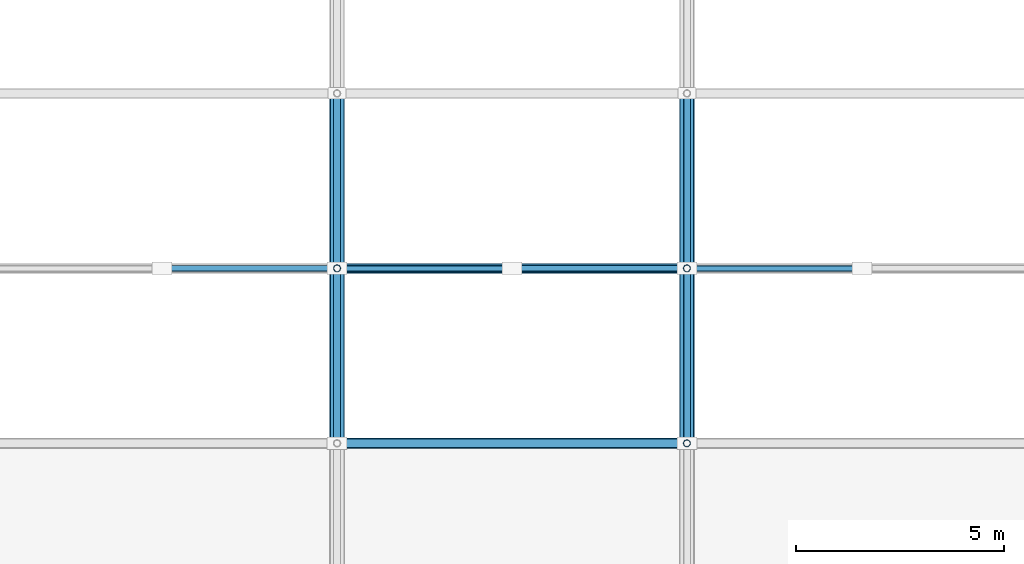
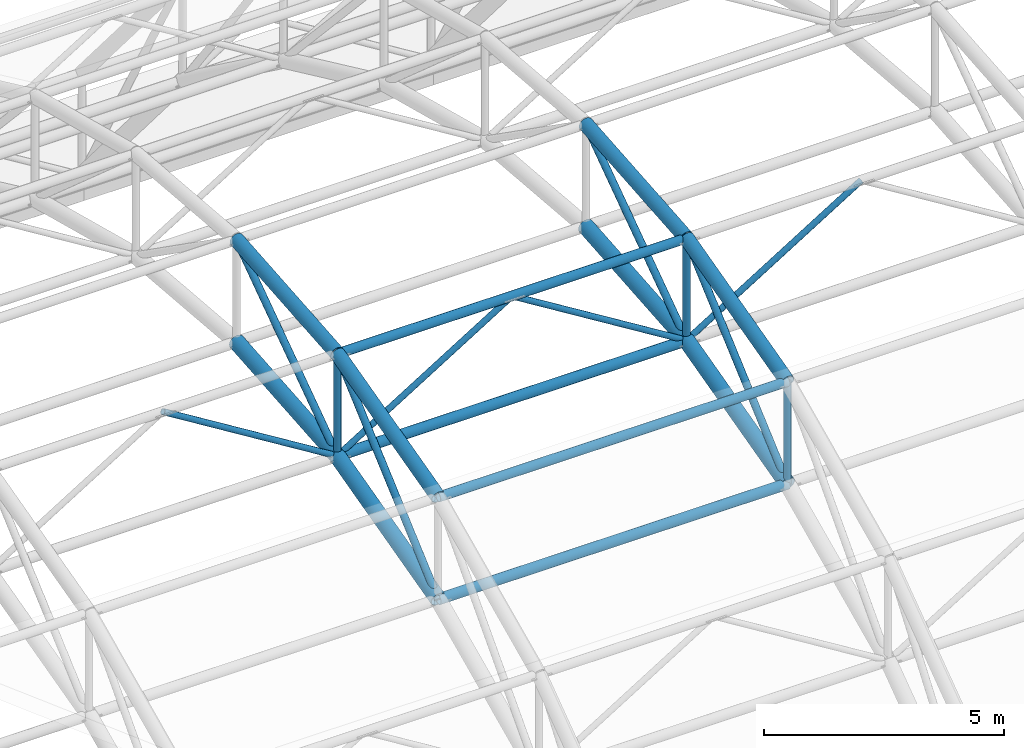
# One storey, part 24 of 103: 15 members, 8 beams.
"""IFC4 building model written with IfcOpenShell, lengths in metres."""

from ifc_helpers import new_model, si_unit, direction, frame, origin, origin_2d, place, context, subcontext, project, spatial, hollow_circle, extrude, material, material_profile, profile_set, type_object, element, save


model = new_model("IFC4")

# Units and contexts
model_context = context("Model", 3, precision=1e-05, world=origin(), true_north=direction((0.0, 1.0)))
body_context = subcontext(model_context, "Body", "Model", "MODEL_VIEW")
ifc_project = project(units=[si_unit("LENGTHUNIT", "METRE"), si_unit("AREAUNIT", "SQUARE_METRE"), si_unit("VOLUMEUNIT", "CUBIC_METRE"), si_unit("PLANEANGLEUNIT", "RADIAN"), si_unit("MASSUNIT", "GRAM", prefix="KILO")], contexts=[model_context])

# Site, building, storey
site_placement = place(None, origin())
site = spatial("IfcSite", under=ifc_project, at=site_placement, CompositionType="ELEMENT")
building_placement = place(site_placement, origin())
building = spatial("IfcBuilding", under=site, at=building_placement, Name="Varnapada Polytechnic", CompositionType="ELEMENT")
storey_placement = place(building_placement, frame((0.0, 0.0, 18.0)))
storey = spatial("IfcBuildingStorey", under=building, at=storey_placement, Name="L04", CompositionType="ELEMENT", Elevation=18.0)

# Members
ifc_material = material(Name="Steel S355", Category="steel")
ifc_material_profile_1 = material_profile(ifc_material, hollow_circle(Radius=0.122314453125, WallThickness=0.008056640625, at=origin_2d()), Name="CHS 244.5x8.0")
ifc_profile_set_1 = profile_set([ifc_material_profile_1], Name="Steel S355")
member_type_1 = type_object("IfcMemberType", Name="Vaulted space frame longitudinal bottom chord SFC-01 (CHS 244.5x8.0)", PredefinedType="CHORD", material=ifc_profile_set_1)
for number, where, z_axis, x_axis, name in (
    (1, (67.199951171875, 96.60009765625, 9.98193359375), (1.0, 0.0, 0.0), (0.0, 1.0, 0.0), "Vaulted space frame longitudinal bottom chord 3.4"),
    (2, (67.199951171875, 100.800048828125, 11.080078125), (1.0, 0.0, 0.0), (0.0, 1.0, 0.0), "Vaulted space frame longitudinal bottom chord 3.5"),
):
    element("IfcMember", number, at=place(storey_placement, frame(where, z_axis=z_axis, x_axis=x_axis)), inside=storey, type_object=member_type_1, Name=name, PredefinedType="CHORD", context=body_context, shape_type="SweptSolid", body=[
        extrude(hollow_circle(Radius=0.122314453125, WallThickness=0.008056640625, at=origin_2d()), origin(), (0.0, 0.0, 1.0), 8.400146484375),
    ])
ifc_material_profile_2 = material_profile(ifc_material, hollow_circle(Radius=0.109619140625, WallThickness=0.008056640625, at=origin_2d()), Name="CHS 219.1x8.0")
ifc_profile_set_2 = profile_set([ifc_material_profile_2], Name="Steel S355")
member_type_2 = type_object("IfcMemberType", Name="Vaulted space frame longitudinal top chord SFC-02 (CHS 219.1x8.0)", PredefinedType="CHORD", material=ifc_profile_set_2)
for number, where, z_axis, x_axis, name in (
    (3, (67.199951171875, 96.60009765625, 12.581787109375), (1.0, 0.0, 0.0), (0.0, 1.0, 0.0), "Vaulted space frame longitudinal top chord 3.4"),
    (4, (67.199951171875, 100.800048828125, 13.679931640625), (1.0, 0.0, 0.0), (0.0, 1.0, 0.0), "Vaulted space frame longitudinal top chord 3.5"),
):
    element("IfcMember", number, at=place(storey_placement, frame(where, z_axis=z_axis, x_axis=x_axis)), inside=storey, type_object=member_type_2, Name=name, PredefinedType="CHORD", context=body_context, shape_type="SweptSolid", body=[
        extrude(hollow_circle(Radius=0.109619140625, WallThickness=0.008056640625, at=origin_2d()), origin(), (0.0, 0.0, 1.0), 8.400146484375),
    ])

# Beams
ifc_material_profile_3 = material_profile(ifc_material, hollow_circle(Radius=0.177734375, WallThickness=0.012451171875, at=origin_2d()), Name="CHS 355.6x12.5")
ifc_profile_set_3 = profile_set([ifc_material_profile_3], Name="Steel S355")
beam_type_1 = type_object("IfcBeamType", Name="Vaulted space frame primary arch rib VA-01 (CHS 355.6x12.5)", PredefinedType="BEAM", material=ifc_profile_set_3)
beam_1_placement = place(storey_placement, frame((67.199951171875, 96.60009765625, 9.98193359375), z_axis=(0.0, 0.967476176159, 0.252962148484), x_axis=(-1.0, 0.0, 0.0)))
element("IfcBeam", 5, at=beam_1_placement, inside=storey, type_object=beam_type_1, Name="Vaulted space frame bottom arch chord 3.4", PredefinedType="BEAM", context=body_context, shape_type="SweptSolid", body=[
    extrude(hollow_circle(Radius=0.177734375, WallThickness=0.012451171875, at=origin_2d()), origin(), (0.0, 0.0, 1.0), 4.341064453125),
])
beam_2_placement = place(storey_placement, frame((67.199951171875, 100.800048828125, 11.080078125), z_axis=(0.0, 0.99644233396, 0.084277369988), x_axis=(-1.0, 0.0, 0.0)))
element("IfcBeam", 6, at=beam_2_placement, inside=storey, type_object=beam_type_1, Name="Vaulted space frame bottom arch chord 3.5", PredefinedType="BEAM", context=body_context, shape_type="SweptSolid", body=[
    extrude(hollow_circle(Radius=0.177734375, WallThickness=0.012451171875, at=origin_2d()), origin(), (0.0, 0.0, 1.0), 4.21484375),
])
beam_3_placement = place(storey_placement, frame((75.60009765625, 96.60009765625, 9.98193359375), z_axis=(0.0, 0.967476176159, 0.252962148484), x_axis=(-1.0, 0.0, 0.0)))
element("IfcBeam", 7, at=beam_3_placement, inside=storey, type_object=beam_type_1, Name="Vaulted space frame bottom arch chord 4.4", PredefinedType="BEAM", context=body_context, shape_type="SweptSolid", body=[
    extrude(hollow_circle(Radius=0.177734375, WallThickness=0.012451171875, at=origin_2d()), origin(), (0.0, 0.0, 1.0), 4.341064453125),
])
beam_4_placement = place(storey_placement, frame((75.60009765625, 100.800048828125, 11.080078125), z_axis=(0.0, 0.99644233396, 0.084277369988), x_axis=(-1.0, 0.0, 0.0)))
element("IfcBeam", 8, at=beam_4_placement, inside=storey, type_object=beam_type_1, Name="Vaulted space frame bottom arch chord 4.5", PredefinedType="BEAM", context=body_context, shape_type="SweptSolid", body=[
    extrude(hollow_circle(Radius=0.177734375, WallThickness=0.012451171875, at=origin_2d()), origin(), (0.0, 0.0, 1.0), 4.21484375),
])

# Members
ifc_material_profile_4 = material_profile(ifc_material, hollow_circle(Radius=0.084228515625, WallThickness=0.00634765625, at=origin_2d()), Name="CHS 168.3x6.3")
ifc_profile_set_4 = profile_set([ifc_material_profile_4], Name="Steel S355")
member_type_3 = type_object("IfcMemberType", Name="Vaulted space frame primary web diagonal SFB-01 (CHS 168.3x6.3)", PredefinedType="BRACE", material=ifc_profile_set_4)
member_1_placement = place(storey_placement, frame((67.199951171875, 96.60009765625, 9.98193359375), z_axis=(0.0, 0.750532603682, 0.660833421378), x_axis=(-1.0, 0.0, 0.0)))
element("IfcMember", 9, at=member_1_placement, inside=storey, type_object=member_type_3, Name="Vaulted space frame web diagonal 3.4", PredefinedType="BRACE", context=body_context, shape_type="SweptSolid", body=[
    extrude(hollow_circle(Radius=0.084228515625, WallThickness=0.00634765625, at=origin_2d()), origin(), (0.0, 0.0, 1.0), 5.595947265625),
])
member_2_placement = place(storey_placement, frame((67.199951171875, 100.800048828125, 11.080078125), z_axis=(0.0, 0.817824649693, 0.575467498956), x_axis=(-1.0, 0.0, 0.0)))
element("IfcMember", 10, at=member_2_placement, inside=storey, type_object=member_type_3, Name="Vaulted space frame web diagonal 3.5", PredefinedType="BRACE", context=body_context, shape_type="SweptSolid", body=[
    extrude(hollow_circle(Radius=0.084228515625, WallThickness=0.00634765625, at=origin_2d()), origin(), (0.0, 0.0, 1.0), 5.135498046875),
])
member_3_placement = place(storey_placement, frame((75.60009765625, 96.60009765625, 9.98193359375), z_axis=(0.0, 0.750532603682, 0.660833421378), x_axis=(-1.0, 0.0, 0.0)))
element("IfcMember", 11, at=member_3_placement, inside=storey, type_object=member_type_3, Name="Vaulted space frame web diagonal 4.4", PredefinedType="BRACE", context=body_context, shape_type="SweptSolid", body=[
    extrude(hollow_circle(Radius=0.084228515625, WallThickness=0.00634765625, at=origin_2d()), origin(), (0.0, 0.0, 1.0), 5.595947265625),
])
member_4_placement = place(storey_placement, frame((75.60009765625, 100.800048828125, 11.080078125), z_axis=(0.0, 0.817824649693, 0.575467498956), x_axis=(-1.0, 0.0, 0.0)))
element("IfcMember", 12, at=member_4_placement, inside=storey, type_object=member_type_3, Name="Vaulted space frame web diagonal 4.5", PredefinedType="BRACE", context=body_context, shape_type="SweptSolid", body=[
    extrude(hollow_circle(Radius=0.084228515625, WallThickness=0.00634765625, at=origin_2d()), origin(), (0.0, 0.0, 1.0), 5.135498046875),
])
ifc_material_profile_5 = material_profile(ifc_material, hollow_circle(Radius=0.084228515625, WallThickness=0.00634765625, at=origin_2d()), Name="CHS 168.3x6.3")
ifc_profile_set_5 = profile_set([ifc_material_profile_5], Name="Steel S355")
member_type_4 = type_object("IfcMemberType", Name="Vaulted space frame radial web strut SFS-01 (CHS 168.3x6.3)", PredefinedType="STRUT", material=ifc_profile_set_5)
for number, where, z_axis, x_axis, name in (
    (13, (67.199951171875, 100.800048828125, 11.080078125), (0.0, 0.0, 1.0), (1.0, 0.0, 0.0), "Vaulted space frame strut 3.5"),
    (14, (75.60009765625, 96.60009765625, 9.98193359375), (0.0, 0.0, 1.0), (1.0, 0.0, 0.0), "Vaulted space frame strut 4.4"),
    (15, (75.60009765625, 100.800048828125, 11.080078125), (0.0, 0.0, 1.0), (1.0, 0.0, 0.0), "Vaulted space frame strut 4.5"),
):
    element("IfcMember", number, at=place(storey_placement, frame(where, z_axis=z_axis, x_axis=x_axis)), inside=storey, type_object=member_type_4, Name=name, PredefinedType="STRUT", context=body_context, shape_type="SweptSolid", body=[
        extrude(hollow_circle(Radius=0.084228515625, WallThickness=0.00634765625, at=origin_2d()), origin(), (0.0, 0.0, 1.0), 2.599853515625),
    ])
ifc_material_profile_6 = material_profile(ifc_material, hollow_circle(Radius=0.06982421875, WallThickness=0.0048828125, at=origin_2d()), Name="CHS 139.7x5.0")
ifc_profile_set_6 = profile_set([ifc_material_profile_6], Name="Steel S355")
member_type_5 = type_object("IfcMemberType", Name="Vaulted space frame secondary web diagonal SFB-02 (CHS 139.7x5.0)", PredefinedType="BRACE", material=ifc_profile_set_6)
for number, where, z_axis, x_axis, name in (
    (16, (67.199951171875, 100.800048828125, 11.080078125), (-0.85027567993, 0.0, 0.526337598999), (0.0, -1.0, 0.0), "Vaulted space frame longitudinal brace 2.5B"),
    (17, (67.199951171875, 100.800048828125, 11.080078125), (0.85027567993, 0.0, 0.526337598999), (0.0, 1.0, 0.0), "Vaulted space frame longitudinal brace 3.5A"),
):
    element("IfcMember", number, at=place(storey_placement, frame(where, z_axis=z_axis, x_axis=x_axis)), inside=storey, type_object=member_type_5, Name=name, PredefinedType="BRACE", context=body_context, shape_type="SweptSolid", body=[
        extrude(hollow_circle(Radius=0.06982421875, WallThickness=0.0048828125, at=origin_2d()), origin(), (0.0, 0.0, 1.0), 4.939453125),
    ])
member_5_placement = place(storey_placement, frame((75.60009765625, 100.800048828125, 11.080078125), z_axis=(-0.850289371618, 0.0, 0.526315480025), x_axis=(0.0, -1.0, 0.0)))
element("IfcMember", 18, at=member_5_placement, inside=storey, type_object=member_type_5, Name="Vaulted space frame longitudinal brace 3.5B", PredefinedType="BRACE", context=body_context, shape_type="SweptSolid", body=[
    extrude(hollow_circle(Radius=0.06982421875, WallThickness=0.0048828125, at=origin_2d()), origin(), (0.0, 0.0, 1.0), 4.939697265625),
])
member_6_placement = place(storey_placement, frame((75.60009765625, 100.800048828125, 11.080078125), z_axis=(0.85027567993, 0.0, 0.526337598999), x_axis=(0.0, 1.0, 0.0)))
element("IfcMember", 19, at=member_6_placement, inside=storey, type_object=member_type_5, Name="Vaulted space frame longitudinal brace 4.5A", PredefinedType="BRACE", context=body_context, shape_type="SweptSolid", body=[
    extrude(hollow_circle(Radius=0.06982421875, WallThickness=0.0048828125, at=origin_2d()), origin(), (0.0, 0.0, 1.0), 4.939453125),
])

# Beams
ifc_material_profile_7 = material_profile(ifc_material, hollow_circle(Radius=0.161865234375, WallThickness=0.010009765625, at=origin_2d()), Name="CHS 323.9x10.0")
ifc_profile_set_7 = profile_set([ifc_material_profile_7], Name="Steel S355")
beam_type_2 = type_object("IfcBeamType", Name="Vaulted space frame upper arch rib VA-02 (CHS 323.9x10.0)", PredefinedType="BEAM", material=ifc_profile_set_7)
beam_5_placement = place(storey_placement, frame((67.199951171875, 96.60009765625, 12.581787109375), z_axis=(0.0, 0.967476176159, 0.252962148484), x_axis=(-1.0, 0.0, 0.0)))
element("IfcBeam", 20, at=beam_5_placement, inside=storey, type_object=beam_type_2, Name="Vaulted space frame top arch chord 3.4", PredefinedType="BEAM", context=body_context, shape_type="SweptSolid", body=[
    extrude(hollow_circle(Radius=0.161865234375, WallThickness=0.010009765625, at=origin_2d()), origin(), (0.0, 0.0, 1.0), 4.341064453125),
])
beam_6_placement = place(storey_placement, frame((67.199951171875, 100.800048828125, 13.679931640625), z_axis=(0.0, 0.996437468128, 0.084334880753), x_axis=(-1.0, 0.0, 0.0)))
element("IfcBeam", 21, at=beam_6_placement, inside=storey, type_object=beam_type_2, Name="Vaulted space frame top arch chord 3.5", PredefinedType="BEAM", context=body_context, shape_type="SweptSolid", body=[
    extrude(hollow_circle(Radius=0.161865234375, WallThickness=0.010009765625, at=origin_2d()), origin(), (0.0, 0.0, 1.0), 4.215087890625),
])
beam_7_placement = place(storey_placement, frame((75.60009765625, 96.60009765625, 12.581787109375), z_axis=(0.0, 0.967476176159, 0.252962148484), x_axis=(-1.0, 0.0, 0.0)))
element("IfcBeam", 22, at=beam_7_placement, inside=storey, type_object=beam_type_2, Name="Vaulted space frame top arch chord 4.4", PredefinedType="BEAM", context=body_context, shape_type="SweptSolid", body=[
    extrude(hollow_circle(Radius=0.161865234375, WallThickness=0.010009765625, at=origin_2d()), origin(), (0.0, 0.0, 1.0), 4.341064453125),
])
beam_8_placement = place(storey_placement, frame((75.60009765625, 100.800048828125, 13.679931640625), z_axis=(0.0, 0.996437468128, 0.084334880753), x_axis=(-1.0, 0.0, 0.0)))
element("IfcBeam", 23, at=beam_8_placement, inside=storey, type_object=beam_type_2, Name="Vaulted space frame top arch chord 4.5", PredefinedType="BEAM", context=body_context, shape_type="SweptSolid", body=[
    extrude(hollow_circle(Radius=0.161865234375, WallThickness=0.010009765625, at=origin_2d()), origin(), (0.0, 0.0, 1.0), 4.215087890625),
])

save(model, "model.ifc")
